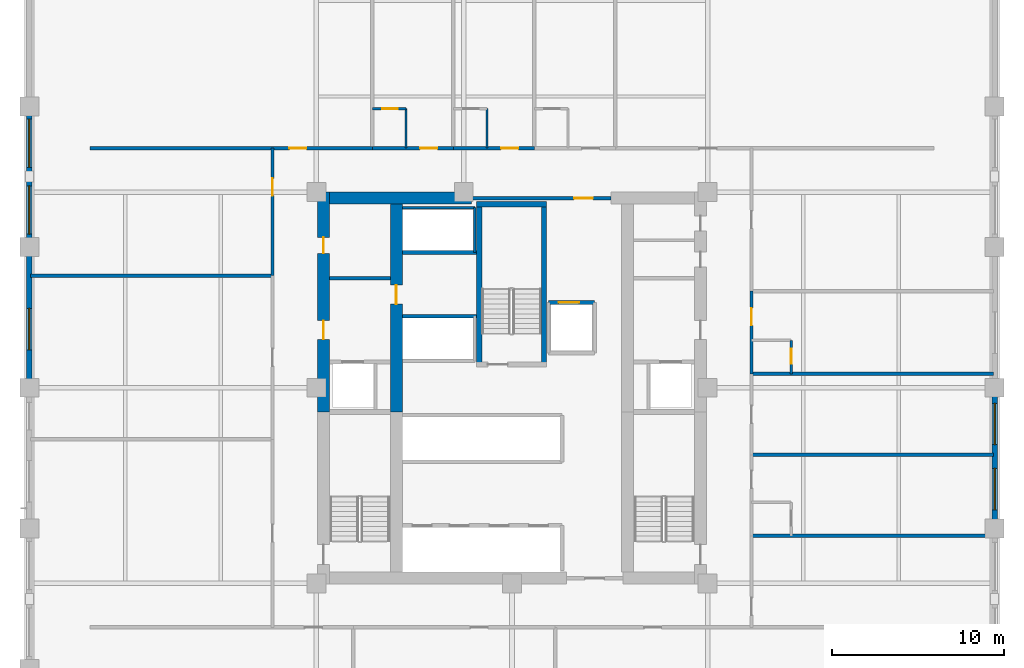
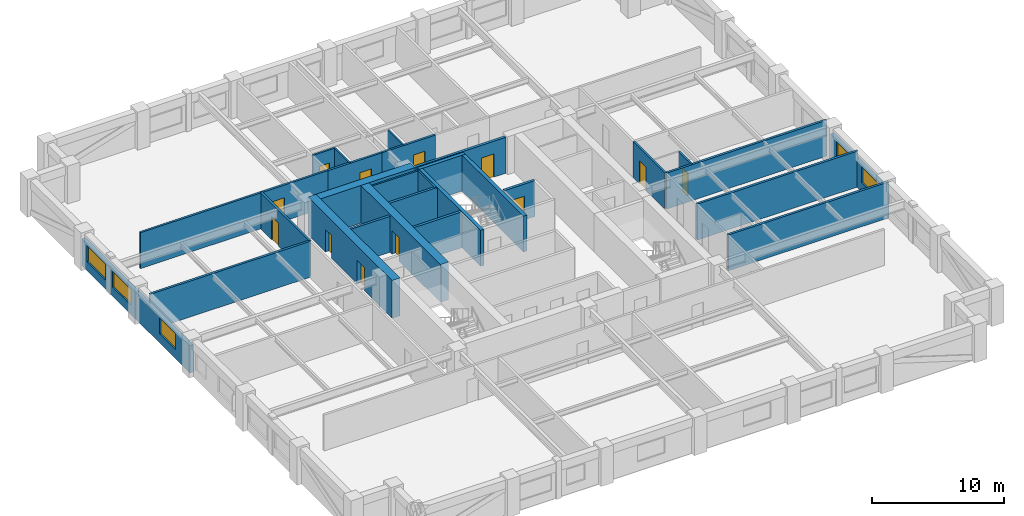
# One storey, part 5 of 8: 29 walls, 12 doors, 5 windows, 17 openings.
"""IFC4 building model written with IfcOpenShell, lengths in metres."""

from ifc_helpers import new_model, si_unit, direction, frame, frame_2d, origin, place, context, subcontext, project, spatial, rectangle, extrude, material, layer, layer_set, type_object, element, fill, save


model = new_model("IFC4")

# Units and contexts
model_context = context("Model", 3, precision=1e-05, world=origin(), true_north=direction((0.0, 1.0)))
body_context = subcontext(model_context, "Body", "Model", "MODEL_VIEW")
ifc_project = project(units=[si_unit("LENGTHUNIT", "METRE"), si_unit("AREAUNIT", "SQUARE_METRE"), si_unit("VOLUMEUNIT", "CUBIC_METRE"), si_unit("PLANEANGLEUNIT", "RADIAN"), si_unit("MASSUNIT", "GRAM", prefix="KILO")], contexts=[model_context])

# Site, building, storey
site_placement = place(None, origin())
site = spatial("IfcSite", under=ifc_project, at=site_placement, CompositionType="ELEMENT")
building_placement = place(site_placement, origin())
building = spatial("IfcBuilding", under=site, at=building_placement, Name="Nhamokura Convention Tower", CompositionType="ELEMENT")
storey_placement = place(building_placement, frame((0.0, 0.0, 56.35009765625)))
storey = spatial("IfcBuildingStorey", under=building, at=storey_placement, Name="L12", CompositionType="ELEMENT", Elevation=56.35009765625)

# Wall
ifc_material_1 = material(Name="Moisture-resistant tile-backer partition", Category="masonry")
ifc_layer_1 = layer(ifc_material_1, 0.139892578125)
ifc_layer_set_1 = layer_set([ifc_layer_1], Name="BathroomWetWall_140")
wall_type_1 = type_object("IfcWallType", Name="BathroomWetWall_140", PredefinedType="STANDARD", material=ifc_layer_set_1)
wall_1_placement = place(storey_placement, frame((25.85009765625, 45.89990234375, 0.0), z_axis=(0.0, 0.0, 1.0), x_axis=(0.0, 1.0, 0.0)))
element("IfcWall", 1, at=wall_1_placement, inside=storey, type_object=wall_type_1, Name="L12 Wall INT-L12-BW-N01E", PredefinedType="STANDARD", context=body_context, shape_type="SweptSolid", body=[
    extrude(rectangle(XDim=2.300048828125, YDim=0.139892578125, at=frame_2d((1.14990234375, 0.0))), origin(), (0.0, 0.0, 1.0), 3.31982421875),
])

# Wall, opening, door
wall_2_placement = place(storey_placement, frame((23.89990234375, 48.199951171875, 0.0), z_axis=(0.0, 0.0, 1.0), x_axis=(1.0, 0.0, 0.0)))
wall_2 = element("IfcWall", 2, at=wall_2_placement, inside=storey, type_object=wall_type_1, Name="L12 Wall INT-L12-BW-N01N", PredefinedType="STANDARD", context=body_context, shape_type="SweptSolid", body=[
    extrude(rectangle(XDim=1.9501953125, YDim=0.139892578125, at=frame_2d((0.97509765625, 0.0))), origin(), (0.0, 0.0, 1.0), 3.31982421875),
])
opening_1_placement = place(wall_2_placement, frame((0.580078125, 0.0, 0.0)))
opening_1 = element("IfcOpeningElement", 3, at=opening_1_placement, cuts=wall_2, Name="Opening D-11", PredefinedType="OPENING", context=body_context, shape_type="SweptSolid", body=[
    extrude(rectangle(XDim=0.8798828125, YDim=2.10009765625, at=frame_2d((0.43994140625, 1.050048828125))), frame((0.0, 0.079833984375, 0.0), z_axis=(0.0, -1.0, 0.0), x_axis=(1.0, 0.0, 0.0)), (0.0, 0.0, 1.0), 0.159912109375),
])
ifc_material_2 = material(Name="Solid oak hardwood", Category="wood")
door_type_1 = type_object("IfcDoorType", Name="BathroomDoor_880", OperationType="NOTDEFINED", PredefinedType="DOOR", material=ifc_material_2)
door_1_placement = place(opening_1_placement, origin())
door_1 = element("IfcDoor", 4, at=door_1_placement, inside=storey, type_object=door_type_1, Name="L12 Guest Room En-suite Door", OperationType="SINGLE_SWING_RIGHT", OverallHeight=2.10009765625, OverallWidth=0.8798828125, PredefinedType="DOOR", context=body_context, shape_type="SweptSolid", body=[
    extrude(rectangle(XDim=0.8798828125, YDim=2.10009765625, at=frame_2d((0.43994140625, 1.050048828125))), frame((0.0, 0.02490234375, 0.0), z_axis=(0.0, -1.0, 0.0), x_axis=(1.0, 0.0, 0.0)), (0.0, 0.0, 1.0), 0.050048828125),
])
fill(opening_1, door_1)

# Wall
wall_3_placement = place(storey_placement, frame((30.550048828125, 45.89990234375, 0.0), z_axis=(0.0, 0.0, 1.0), x_axis=(0.0, 1.0, 0.0)))
element("IfcWall", 5, at=wall_3_placement, inside=storey, type_object=wall_type_1, Name="L12 Wall INT-L12-BW-N02E", PredefinedType="STANDARD", context=body_context, shape_type="SweptSolid", body=[
    extrude(rectangle(XDim=2.300048828125, YDim=0.139892578125, at=frame_2d((1.14990234375, 0.0))), origin(), (0.0, 0.0, 1.0), 3.31982421875),
])

# Wall, opening, door
wall_4_placement = place(storey_placement, frame((48.199951171875, 32.800048828125, 0.0), z_axis=(0.0, 0.0, 1.0), x_axis=(0.0, 1.0, 0.0)))
wall_4 = element("IfcWall", 6, at=wall_4_placement, inside=storey, type_object=wall_type_1, Name="L12 Wall INT-L12-BW-E03E", PredefinedType="STANDARD", context=body_context, shape_type="SweptSolid", body=[
    extrude(rectangle(XDim=1.949951171875, YDim=0.139892578125, at=frame_2d((0.97509765625, 0.0))), origin(), (0.0, 0.0, 1.0), 3.31982421875),
])
opening_2_placement = place(wall_4_placement, frame((0.580078125, 0.0, 0.0)))
opening_2 = element("IfcOpeningElement", 7, at=opening_2_placement, cuts=wall_4, Name="Opening D-11", PredefinedType="OPENING", context=body_context, shape_type="SweptSolid", body=[
    extrude(rectangle(XDim=0.8798828125, YDim=2.10009765625, at=frame_2d((0.43994140625, 1.050048828125))), frame((0.0, 0.079833984375, 0.0), z_axis=(0.0, -1.0, 0.0), x_axis=(1.0, 0.0, 0.0)), (0.0, 0.0, 1.0), 0.159912109375),
])
door_2_placement = place(opening_2_placement, origin())
door_2 = element("IfcDoor", 8, at=door_2_placement, inside=storey, type_object=door_type_1, Name="L12 Guest Room En-suite Door", OperationType="SINGLE_SWING_LEFT", OverallHeight=2.10009765625, OverallWidth=0.8798828125, PredefinedType="DOOR", context=body_context, shape_type="SweptSolid", body=[
    extrude(rectangle(XDim=0.8798828125, YDim=2.10009765625, at=frame_2d((0.43994140625, 1.050048828125))), frame((0.0, 0.02490234375, 0.0), z_axis=(0.0, -1.0, 0.0), x_axis=(1.0, 0.0, 0.0)), (0.0, 0.0, 1.0), 0.050048828125),
])
fill(opening_2, door_2)

# Wall, opening, window
ifc_material_3 = material(Name="Bronze-pigmented precast concrete C45/55", Category="concrete")
ifc_layer_2 = layer(ifc_material_3, 0.320068359375)
ifc_layer_set_2 = layer_set([ifc_layer_2], Name="BronzePrecastSpandrel_320")
wall_type_2 = type_object("IfcWallType", Name="BronzePrecastSpandrel_320", PredefinedType="USERDEFINED", material=ifc_layer_set_2)
wall_5_placement = place(storey_placement, frame((4.0, 32.0, 0.0), z_axis=(0.0, 0.0, 1.0), x_axis=(0.0, 1.0, 0.0)))
wall_5 = element("IfcWall", 9, at=wall_5_placement, inside=storey, type_object=wall_type_2, Name="L12 Masonry-Frame Wall WEST 3", ObjectType="SPANDREL_WALL", PredefinedType="USERDEFINED", context=body_context, shape_type="SweptSolid", body=[
    extrude(rectangle(XDim=8.166748046875, YDim=0.320068359375, at=frame_2d((4.08349609375, 0.0))), origin(), (0.0, 0.0, 1.0), 2.52001953125),
])
opening_3_placement = place(wall_5_placement, frame((2.199951171875, 0.0, 0.85009765625)))
opening_3 = element("IfcOpeningElement", 10, at=opening_3_placement, cuts=wall_5, Name="Opening W-03", PredefinedType="OPENING", context=body_context, shape_type="SweptSolid", body=[
    extrude(rectangle(XDim=2.39990234375, YDim=1.469970703125, at=frame_2d((1.199951171875, 0.73486328125))), frame((0.0, 0.169921875, 0.0), z_axis=(0.0, -1.0, 0.0), x_axis=(1.0, 0.0, 0.0)), (0.0, 0.0, 1.0), 0.340087890625),
])
ifc_material_4 = material(Name="Solar-control bronze low-E double glass", Category="glass")
window_type_1 = type_object("IfcWindowType", Name="HotelBayWindow_2400", PartitioningType="DOUBLE_PANEL_VERTICAL", PredefinedType="WINDOW", material=ifc_material_4)
window_1_placement = place(opening_3_placement, origin())
window_1 = element("IfcWindow", 11, at=window_1_placement, inside=storey, type_object=window_type_1, Name="L12 Facade Window WEST 3-1", OverallHeight=1.469970703125, OverallWidth=2.39990234375, PartitioningType="SINGLE_PANEL", PredefinedType="WINDOW", context=body_context, shape_type="SweptSolid", body=[
    extrude(rectangle(XDim=2.39990234375, YDim=1.469970703125, at=frame_2d((1.199951171875, 0.73486328125))), frame((0.0, 0.030029296875, 0.0), z_axis=(0.0, -1.0, 0.0), x_axis=(1.0, 0.0, 0.0)), (0.0, 0.0, 1.0), 0.06005859375),
])
fill(opening_3, window_1)

# Wall, openings, windows
wall_6_placement = place(storey_placement, frame((4.0, 40.166748046875, 0.0), z_axis=(0.0, 0.0, 1.0), x_axis=(0.0, 1.0, 0.0)))
wall_6 = element("IfcWall", 12, at=wall_6_placement, inside=storey, type_object=wall_type_2, Name="L12 Masonry-Frame Wall WEST 4", ObjectType="SPANDREL_WALL", PredefinedType="USERDEFINED", context=body_context, shape_type="SweptSolid", body=[
    extrude(rectangle(XDim=8.16650390625, YDim=0.320068359375, at=frame_2d((4.083251953125, 0.0))), origin(), (0.0, 0.0, 1.0), 2.52001953125),
])
opening_4_placement = place(wall_6_placement, frame((0.74169921875, 0.0, 0.85009765625)))
opening_4 = element("IfcOpeningElement", 13, at=opening_4_placement, cuts=wall_6, Name="Opening W-04", PredefinedType="OPENING", context=body_context, shape_type="SweptSolid", body=[
    extrude(rectangle(XDim=2.800048828125, YDim=1.469970703125, at=frame_2d((1.39990234375, 0.73486328125))), frame((0.0, 0.169921875, 0.0), z_axis=(0.0, -1.0, 0.0), x_axis=(1.0, 0.0, 0.0)), (0.0, 0.0, 1.0), 0.340087890625),
])
opening_5_placement = place(wall_6_placement, frame((4.625, 0.0, 0.85009765625)))
opening_5 = element("IfcOpeningElement", 14, at=opening_5_placement, cuts=wall_6, Name="Opening W-04", PredefinedType="OPENING", context=body_context, shape_type="SweptSolid", body=[
    extrude(rectangle(XDim=2.800048828125, YDim=1.469970703125, at=frame_2d((1.39990234375, 0.73486328125))), frame((0.0, 0.169921875, 0.0), z_axis=(0.0, -1.0, 0.0), x_axis=(1.0, 0.0, 0.0)), (0.0, 0.0, 1.0), 0.340087890625),
])
ifc_material_5 = material(Name="Solar-control bronze low-E double glass", Category="glass")
window_type_2 = type_object("IfcWindowType", Name="HotelSuiteWindow_2800", PartitioningType="DOUBLE_PANEL_VERTICAL", PredefinedType="WINDOW", material=ifc_material_5)
window_2_placement = place(opening_4_placement, origin())
window_2 = element("IfcWindow", 15, at=window_2_placement, inside=storey, type_object=window_type_2, Name="L12 Facade Window WEST 4-1", OverallHeight=1.469970703125, OverallWidth=2.800048828125, PartitioningType="SINGLE_PANEL", PredefinedType="WINDOW", context=body_context, shape_type="SweptSolid", body=[
    extrude(rectangle(XDim=2.800048828125, YDim=1.469970703125, at=frame_2d((1.39990234375, 0.73486328125))), frame((0.0, 0.030029296875, 0.0), z_axis=(0.0, -1.0, 0.0), x_axis=(1.0, 0.0, 0.0)), (0.0, 0.0, 1.0), 0.06005859375),
])
fill(opening_4, window_2)
window_3_placement = place(opening_5_placement, origin())
window_3 = element("IfcWindow", 16, at=window_3_placement, inside=storey, type_object=window_type_2, Name="L12 Facade Window WEST 4-2", OverallHeight=1.469970703125, OverallWidth=2.800048828125, PartitioningType="SINGLE_PANEL", PredefinedType="WINDOW", context=body_context, shape_type="SweptSolid", body=[
    extrude(rectangle(XDim=2.800048828125, YDim=1.469970703125, at=frame_2d((1.39990234375, 0.73486328125))), frame((0.0, 0.030029296875, 0.0), z_axis=(0.0, -1.0, 0.0), x_axis=(1.0, 0.0, 0.0)), (0.0, 0.0, 1.0), 0.06005859375),
])
fill(opening_5, window_3)

wall_7_placement = place(storey_placement, frame((60.0, 32.0, 0.0), z_axis=(0.0, 0.0, 1.0), x_axis=(0.0, -1.0, 0.0)))
wall_7 = element("IfcWall", 17, at=wall_7_placement, inside=storey, type_object=wall_type_2, Name="L12 Masonry-Frame Wall EAST 2", ObjectType="SPANDREL_WALL", PredefinedType="USERDEFINED", context=body_context, shape_type="SweptSolid", body=[
    extrude(rectangle(XDim=8.166748046875, YDim=0.320068359375, at=frame_2d((4.08349609375, 0.0))), origin(), (0.0, 0.0, 1.0), 2.52001953125),
])
opening_6_placement = place(wall_7_placement, frame((0.89990234375, 0.0, 0.85009765625)))
opening_6 = element("IfcOpeningElement", 18, at=opening_6_placement, cuts=wall_7, Name="Opening W-03", PredefinedType="OPENING", context=body_context, shape_type="SweptSolid", body=[
    extrude(rectangle(XDim=2.39990234375, YDim=1.469970703125, at=frame_2d((1.199951171875, 0.73486328125))), frame((0.0, 0.169921875, 0.0), z_axis=(0.0, -1.0, 0.0), x_axis=(1.0, 0.0, 0.0)), (0.0, 0.0, 1.0), 0.340087890625),
])
opening_7_placement = place(wall_7_placement, frame((4.683349609375, 0.0, 0.85009765625)))
opening_7 = element("IfcOpeningElement", 19, at=opening_7_placement, cuts=wall_7, Name="Opening W-03", PredefinedType="OPENING", context=body_context, shape_type="SweptSolid", body=[
    extrude(rectangle(XDim=2.39990234375, YDim=1.469970703125, at=frame_2d((1.199951171875, 0.73486328125))), frame((0.0, 0.169921875, 0.0), z_axis=(0.0, -1.0, 0.0), x_axis=(1.0, 0.0, 0.0)), (0.0, 0.0, 1.0), 0.340087890625),
])
window_4_placement = place(opening_6_placement, origin())
window_4 = element("IfcWindow", 20, at=window_4_placement, inside=storey, type_object=window_type_1, Name="L12 Facade Window EAST 2-1", OverallHeight=1.469970703125, OverallWidth=2.39990234375, PartitioningType="SINGLE_PANEL", PredefinedType="WINDOW", context=body_context, shape_type="SweptSolid", body=[
    extrude(rectangle(XDim=2.39990234375, YDim=1.469970703125, at=frame_2d((1.199951171875, 0.73486328125))), frame((0.0, 0.030029296875, 0.0), z_axis=(0.0, -1.0, 0.0), x_axis=(1.0, 0.0, 0.0)), (0.0, 0.0, 1.0), 0.06005859375),
])
fill(opening_6, window_4)
window_5_placement = place(opening_7_placement, origin())
window_5 = element("IfcWindow", 21, at=window_5_placement, inside=storey, type_object=window_type_1, Name="L12 Facade Window EAST 2-2", OverallHeight=1.469970703125, OverallWidth=2.39990234375, PartitioningType="SINGLE_PANEL", PredefinedType="WINDOW", context=body_context, shape_type="SweptSolid", body=[
    extrude(rectangle(XDim=2.39990234375, YDim=1.469970703125, at=frame_2d((1.199951171875, 0.73486328125))), frame((0.0, 0.030029296875, 0.0), z_axis=(0.0, -1.0, 0.0), x_axis=(1.0, 0.0, 0.0)), (0.0, 0.0, 1.0), 0.06005859375),
])
fill(opening_7, window_5)

# Wall, openings, doors
ifc_material_6 = material(Name="Concrete C70/85", Category="concrete")
ifc_layer_3 = layer(ifc_material_6, 0.699951171875)
ifc_layer_set_3 = layer_set([ifc_layer_3], Name="CoreShearWall_700")
wall_type_3 = type_object("IfcWallType", Name="CoreShearWall_700", PredefinedType="SHEAR", material=ifc_layer_set_3)
wall_8_placement = place(storey_placement, frame((21.06005859375, 30.60009765625, 0.0), z_axis=(0.0, 0.0, 1.0), x_axis=(0.0, 1.0, 0.0)))
wall_8 = element("IfcWall", 22, at=wall_8_placement, inside=storey, type_object=wall_type_3, Name="L12 Core Shear Wall CW-WN", PredefinedType="SHEAR", context=body_context, shape_type="SweptSolid", body=[
    extrude(rectangle(XDim=12.75, YDim=0.699951171875, at=frame_2d((6.375, 0.0))), origin(), (0.0, 0.0, 1.0), 3.5),
])
opening_8_placement = place(wall_8_placement, frame((4.199951171875, 0.0, 0.0)))
opening_8 = element("IfcOpeningElement", 23, at=opening_8_placement, cuts=wall_8, Name="Opening D-05", PredefinedType="OPENING", context=body_context, shape_type="SweptSolid", body=[
    extrude(rectangle(XDim=1.10009765625, YDim=2.14990234375, at=frame_2d((0.550048828125, 1.074951171875))), frame((0.0, 0.35986328125, 0.0), z_axis=(0.0, -1.0, 0.0), x_axis=(1.0, 0.0, 0.0)), (0.0, 0.0, 1.0), 0.719970703125),
])
opening_9_placement = place(wall_8_placement, frame((9.199951171875, 0.0, 0.0)))
opening_9 = element("IfcOpeningElement", 24, at=opening_9_placement, cuts=wall_8, Name="Opening D-10", PredefinedType="OPENING", context=body_context, shape_type="SweptSolid", body=[
    extrude(rectangle(XDim=0.919921875, YDim=2.10009765625, at=frame_2d((0.4599609375, 1.050048828125))), frame((0.0, 0.35986328125, 0.0), z_axis=(0.0, -1.0, 0.0), x_axis=(1.0, 0.0, 0.0)), (0.0, 0.0, 1.0), 0.719970703125),
])
ifc_material_7 = material(Name="Solid oak hardwood", Category="wood")
door_type_2 = type_object("IfcDoorType", Name="AccessibleWCDoor_920", OperationType="NOTDEFINED", PredefinedType="DOOR", material=ifc_material_7)
door_3_placement = place(opening_9_placement, origin())
door_3 = element("IfcDoor", 25, at=door_3_placement, inside=storey, type_object=door_type_2, Name="L12 Core Door INT-L12-D-AWC", OperationType="SINGLE_SWING_LEFT", OverallHeight=2.10009765625, OverallWidth=0.919921875, PredefinedType="DOOR", context=body_context, shape_type="SweptSolid", body=[
    extrude(rectangle(XDim=0.919921875, YDim=2.10009765625, at=frame_2d((0.4599609375, 1.050048828125))), frame((0.0, 0.02490234375, 0.0), z_axis=(0.0, -1.0, 0.0), x_axis=(1.0, 0.0, 0.0)), (0.0, 0.0, 1.0), 0.050048828125),
])
fill(opening_9, door_3)
ifc_material_8 = material(Name="Fire-rated steel door", Category="steel")
door_type_3 = type_object("IfcDoorType", Name="FireLobbyDoor_1100", OperationType="NOTDEFINED", PredefinedType="DOOR", material=ifc_material_8)
door_4_placement = place(opening_8_placement, origin())
door_4 = element("IfcDoor", 26, at=door_4_placement, inside=storey, type_object=door_type_3, Name="L12 Core Door INT-L12-D-FFLW", OperationType="SINGLE_SWING_RIGHT", OverallHeight=2.14990234375, OverallWidth=1.10009765625, PredefinedType="DOOR", context=body_context, shape_type="SweptSolid", body=[
    extrude(rectangle(XDim=1.10009765625, YDim=2.14990234375, at=frame_2d((0.550048828125, 1.074951171875))), frame((0.0, 0.02490234375, 0.0), z_axis=(0.0, -1.0, 0.0), x_axis=(1.0, 0.0, 0.0)), (0.0, 0.0, 1.0), 0.050048828125),
])
fill(opening_8, door_4)

# Wall
wall_9_placement = place(storey_placement, frame((21.409912109375, 43.0, 0.0), z_axis=(0.0, 0.0, 1.0), x_axis=(1.0, 0.0, 0.0)))
element("IfcWall", 27, at=wall_9_placement, inside=storey, type_object=wall_type_3, Name="L12 Core Shear Wall CW-N1", PredefinedType="SHEAR", context=body_context, shape_type="SweptSolid", body=[
    extrude(rectangle(XDim=8.239990234375, YDim=0.699951171875, at=frame_2d((4.1201171875, 0.0))), origin(), (0.0, 0.0, 1.0), 3.5),
])

# Wall, opening, door
wall_10_placement = place(storey_placement, frame((25.2900390625, 30.60009765625, 0.0), z_axis=(0.0, 0.0, 1.0), x_axis=(0.0, 1.0, 0.0)))
wall_10 = element("IfcWall", 28, at=wall_10_placement, inside=storey, type_object=wall_type_3, Name="L12 Core Shear Wall CW-IWN", PredefinedType="SHEAR", context=body_context, shape_type="SweptSolid", body=[
    extrude(rectangle(XDim=12.0498046875, YDim=0.699951171875, at=frame_2d((6.02490234375, 0.0))), origin(), (0.0, 0.0, 1.0), 3.5),
])
opening_10_placement = place(wall_10_placement, frame((6.25, 0.0, 0.0)))
opening_10 = element("IfcOpeningElement", 29, at=opening_10_placement, cuts=wall_10, Name="Opening D-05", PredefinedType="OPENING", context=body_context, shape_type="SweptSolid", body=[
    extrude(rectangle(XDim=1.10009765625, YDim=2.14990234375, at=frame_2d((0.550048828125, 1.074951171875))), frame((0.0, 0.35986328125, 0.0), z_axis=(0.0, -1.0, 0.0), x_axis=(1.0, 0.0, 0.0)), (0.0, 0.0, 1.0), 0.719970703125),
])
door_5_placement = place(opening_10_placement, origin())
door_5 = element("IfcDoor", 30, at=door_5_placement, inside=storey, type_object=door_type_3, Name="L12 Core Door INT-L12-D-B3LOB", OperationType="SINGLE_SWING_LEFT", OverallHeight=2.14990234375, OverallWidth=1.10009765625, PredefinedType="DOOR", context=body_context, shape_type="SweptSolid", body=[
    extrude(rectangle(XDim=1.10009765625, YDim=2.14990234375, at=frame_2d((0.550048828125, 1.074951171875))), frame((0.0, 0.02490234375, 0.0), z_axis=(0.0, -1.0, 0.0), x_axis=(1.0, 0.0, 0.0)), (0.0, 0.0, 1.0), 0.050048828125),
])
fill(opening_10, door_5)

ifc_material_9 = material(Name="Fire-rated gypsum and masonry partition", Category="masonry")
ifc_layer_4 = layer(ifc_material_9, 0.179931640625)
ifc_layer_set_4 = layer_set([ifc_layer_4], Name="CorridorRatedWall_180")
wall_type_4 = type_object("IfcWallType", Name="CorridorRatedWall_180", PredefinedType="STANDARD", material=ifc_layer_set_4)
wall_11_placement = place(storey_placement, frame((7.5, 45.89990234375, 0.0), z_axis=(0.0, 0.0, 1.0), x_axis=(1.0, 0.0, 0.0)))
wall_11 = element("IfcWall", 31, at=wall_11_placement, inside=storey, type_object=wall_type_4, Name="L12 Wall INT-L12-CW-N00", PredefinedType="STANDARD", context=body_context, shape_type="SweptSolid", body=[
    extrude(rectangle(XDim=16.39990234375, YDim=0.179931640625, at=frame_2d((8.199951171875, 0.0))), origin(), (0.0, 0.0, 1.0), 3.31982421875),
])
opening_11_placement = place(wall_11_placement, frame((11.574951171875, 0.0, 0.0)))
opening_11 = element("IfcOpeningElement", 32, at=opening_11_placement, cuts=wall_11, Name="Opening D-07", PredefinedType="OPENING", context=body_context, shape_type="SweptSolid", body=[
    extrude(rectangle(XDim=1.0, YDim=2.14990234375, at=frame_2d((0.5, 1.074951171875))), frame((0.0, 0.099853515625, 0.0), z_axis=(0.0, -1.0, 0.0), x_axis=(1.0, 0.0, 0.0)), (0.0, 0.0, 1.0), 0.199951171875),
])
ifc_material_10 = material(Name="Solid oak hardwood", Category="wood")
door_type_4 = type_object("IfcDoorType", Name="HotelSuiteEntryDoor_1000", OperationType="NOTDEFINED", PredefinedType="DOOR", material=ifc_material_10)
door_6_placement = place(opening_11_placement, origin())
door_6 = element("IfcDoor", 33, at=door_6_placement, inside=storey, type_object=door_type_4, Name="L12 Conference Salon N01 Door", OperationType="SINGLE_SWING_LEFT", OverallHeight=2.14990234375, OverallWidth=1.0, PredefinedType="DOOR", context=body_context, shape_type="SweptSolid", body=[
    extrude(rectangle(XDim=1.0, YDim=2.14990234375, at=frame_2d((0.5, 1.074951171875))), frame((0.0, 0.02490234375, 0.0), z_axis=(0.0, -1.0, 0.0), x_axis=(1.0, 0.0, 0.0)), (0.0, 0.0, 1.0), 0.050048828125),
])
fill(opening_11, door_6)

wall_12_placement = place(storey_placement, frame((23.89990234375, 45.89990234375, 0.0), z_axis=(0.0, 0.0, 1.0), x_axis=(1.0, 0.0, 0.0)))
wall_12 = element("IfcWall", 34, at=wall_12_placement, inside=storey, type_object=wall_type_4, Name="L12 Wall INT-L12-CW-N01", PredefinedType="STANDARD", context=body_context, shape_type="SweptSolid", body=[
    extrude(rectangle(XDim=4.7001953125, YDim=0.179931640625, at=frame_2d((2.35009765625, 0.0))), origin(), (0.0, 0.0, 1.0), 3.31982421875),
])
opening_12_placement = place(wall_12_placement, frame((2.77490234375, 0.0, 0.0)))
opening_12 = element("IfcOpeningElement", 35, at=opening_12_placement, cuts=wall_12, Name="Opening D-07", PredefinedType="OPENING", context=body_context, shape_type="SweptSolid", body=[
    extrude(rectangle(XDim=1.0, YDim=2.14990234375, at=frame_2d((0.5, 1.074951171875))), frame((0.0, 0.099853515625, 0.0), z_axis=(0.0, -1.0, 0.0), x_axis=(1.0, 0.0, 0.0)), (0.0, 0.0, 1.0), 0.199951171875),
])
door_7_placement = place(opening_12_placement, origin())
door_7 = element("IfcDoor", 36, at=door_7_placement, inside=storey, type_object=door_type_4, Name="L12 Guest Room N02 Door", OperationType="SINGLE_SWING_RIGHT", OverallHeight=2.14990234375, OverallWidth=1.0, PredefinedType="DOOR", context=body_context, shape_type="SweptSolid", body=[
    extrude(rectangle(XDim=1.0, YDim=2.14990234375, at=frame_2d((0.5, 1.074951171875))), frame((0.0, 0.02490234375, 0.0), z_axis=(0.0, -1.0, 0.0), x_axis=(1.0, 0.0, 0.0)), (0.0, 0.0, 1.0), 0.050048828125),
])
fill(opening_12, door_7)

wall_13_placement = place(storey_placement, frame((28.60009765625, 45.89990234375, 0.0), z_axis=(0.0, 0.0, 1.0), x_axis=(1.0, 0.0, 0.0)))
wall_13 = element("IfcWall", 37, at=wall_13_placement, inside=storey, type_object=wall_type_4, Name="L12 Wall INT-L12-CW-N02", PredefinedType="STANDARD", context=body_context, shape_type="SweptSolid", body=[
    extrude(rectangle(XDim=4.699951171875, YDim=0.179931640625, at=frame_2d((2.35009765625, 0.0))), origin(), (0.0, 0.0, 1.0), 3.31982421875),
])
opening_13_placement = place(wall_13_placement, frame((2.77490234375, 0.0, 0.0)))
opening_13 = element("IfcOpeningElement", 38, at=opening_13_placement, cuts=wall_13, Name="Opening D-07", PredefinedType="OPENING", context=body_context, shape_type="SweptSolid", body=[
    extrude(rectangle(XDim=1.0, YDim=2.14990234375, at=frame_2d((0.5, 1.074951171875))), frame((0.0, 0.099853515625, 0.0), z_axis=(0.0, -1.0, 0.0), x_axis=(1.0, 0.0, 0.0)), (0.0, 0.0, 1.0), 0.199951171875),
])
door_8_placement = place(opening_13_placement, origin())
door_8 = element("IfcDoor", 39, at=door_8_placement, inside=storey, type_object=door_type_4, Name="L12 Guest Room N03 Door", OperationType="SINGLE_SWING_LEFT", OverallHeight=2.14990234375, OverallWidth=1.0, PredefinedType="DOOR", context=body_context, shape_type="SweptSolid", body=[
    extrude(rectangle(XDim=1.0, YDim=2.14990234375, at=frame_2d((0.5, 1.074951171875))), frame((0.0, 0.02490234375, 0.0), z_axis=(0.0, -1.0, 0.0), x_axis=(1.0, 0.0, 0.0)), (0.0, 0.0, 1.0), 0.050048828125),
])
fill(opening_13, door_8)

wall_14_placement = place(storey_placement, frame((18.10009765625, 38.5, 0.0), z_axis=(0.0, 0.0, 1.0), x_axis=(0.0, 1.0, 0.0)))
wall_14 = element("IfcWall", 40, at=wall_14_placement, inside=storey, type_object=wall_type_4, Name="L12 Wall INT-L12-CW-W02", PredefinedType="STANDARD", context=body_context, shape_type="SweptSolid", body=[
    extrude(rectangle(XDim=7.39990234375, YDim=0.179931640625, at=frame_2d((3.699951171875, 0.0))), origin(), (0.0, 0.0, 1.0), 3.31982421875),
])
opening_14_placement = place(wall_14_placement, frame((4.64990234375, 0.0, 0.0)))
opening_14 = element("IfcOpeningElement", 41, at=opening_14_placement, cuts=wall_14, Name="Opening D-07", PredefinedType="OPENING", context=body_context, shape_type="SweptSolid", body=[
    extrude(rectangle(XDim=1.0, YDim=2.14990234375, at=frame_2d((0.5, 1.074951171875))), frame((0.0, 0.099853515625, 0.0), z_axis=(0.0, -1.0, 0.0), x_axis=(1.0, 0.0, 0.0)), (0.0, 0.0, 1.0), 0.199951171875),
])
door_9_placement = place(opening_14_placement, origin())
door_9 = element("IfcDoor", 42, at=door_9_placement, inside=storey, type_object=door_type_4, Name="L12 Reading Lounge W03 Door", OperationType="SINGLE_SWING_LEFT", OverallHeight=2.14990234375, OverallWidth=1.0, PredefinedType="DOOR", context=body_context, shape_type="SweptSolid", body=[
    extrude(rectangle(XDim=1.0, YDim=2.14990234375, at=frame_2d((0.5, 1.074951171875))), frame((0.0, 0.02490234375, 0.0), z_axis=(0.0, -1.0, 0.0), x_axis=(1.0, 0.0, 0.0)), (0.0, 0.0, 1.0), 0.050048828125),
])
fill(opening_14, door_9)

wall_15_placement = place(storey_placement, frame((45.89990234375, 32.800048828125, 0.0), z_axis=(0.0, 0.0, 1.0), x_axis=(0.0, 1.0, 0.0)))
wall_15 = element("IfcWall", 43, at=wall_15_placement, inside=storey, type_object=wall_type_4, Name="L12 Wall INT-L12-CW-E03", PredefinedType="STANDARD", context=body_context, shape_type="SweptSolid", body=[
    extrude(rectangle(XDim=4.800048828125, YDim=0.179931640625, at=frame_2d((2.39990234375, 0.0))), origin(), (0.0, 0.0, 1.0), 3.31982421875),
])
opening_15_placement = place(wall_15_placement, frame((2.824951171875, 0.0, 0.0)))
opening_15 = element("IfcOpeningElement", 44, at=opening_15_placement, cuts=wall_15, Name="Opening D-07", PredefinedType="OPENING", context=body_context, shape_type="SweptSolid", body=[
    extrude(rectangle(XDim=1.0, YDim=2.14990234375, at=frame_2d((0.5, 1.074951171875))), frame((0.0, 0.099853515625, 0.0), z_axis=(0.0, -1.0, 0.0), x_axis=(1.0, 0.0, 0.0)), (0.0, 0.0, 1.0), 0.199951171875),
])
door_10_placement = place(opening_15_placement, origin())
door_10 = element("IfcDoor", 45, at=door_10_placement, inside=storey, type_object=door_type_4, Name="L12 Guest Room E04 Door", OperationType="SINGLE_SWING_RIGHT", OverallHeight=2.14990234375, OverallWidth=1.0, PredefinedType="DOOR", context=body_context, shape_type="SweptSolid", body=[
    extrude(rectangle(XDim=1.0, YDim=2.14990234375, at=frame_2d((0.5, 1.074951171875))), frame((0.0, 0.02490234375, 0.0), z_axis=(0.0, -1.0, 0.0), x_axis=(1.0, 0.0, 0.0)), (0.0, 0.0, 1.0), 0.050048828125),
])
fill(opening_15, door_10)

# Walls
ifc_material_11 = material(Name="Autoclaved concrete blockwork", Category="masonry")
ifc_layer_5 = layer(ifc_material_11, 0.219970703125)
ifc_layer_set_5 = layer_set([ifc_layer_5], Name="FireLobbyWall_220")
wall_type_5 = type_object("IfcWallType", Name="FireLobbyWall_220", PredefinedType="STANDARD", material=ifc_layer_set_5)
wall_16_placement = place(storey_placement, frame((21.409912109375, 38.35009765625, 0.0), z_axis=(0.0, 0.0, 1.0), x_axis=(1.0, 0.0, 0.0)))
element("IfcWall", 46, at=wall_16_placement, inside=storey, type_object=wall_type_5, Name="L12 Wall INT-L12-FFW-N", PredefinedType="STANDARD", context=body_context, shape_type="SweptSolid", body=[
    extrude(rectangle(XDim=3.530029296875, YDim=0.219970703125, at=frame_2d((1.76513671875, 0.0))), origin(), (0.0, 0.0, 1.0), 3.31982421875),
])
for number, where, z_axis, x_axis, name in (
    (47, (25.64990234375, 36.14990234375, 0.0), (0.0, 0.0, 1.0), (1.0, 0.0, 0.0), "L12 Wall INT-L12-B3S"),
    (48, (25.64990234375, 39.85009765625, 0.0), (0.0, 0.0, 1.0), (1.0, 0.0, 0.0), "L12 Wall INT-L12-B3N"),
):
    element("IfcWall", number, at=place(storey_placement, frame(where, z_axis=z_axis, x_axis=x_axis)), inside=storey, type_object=wall_type_5, Name=name, PredefinedType="STANDARD", context=body_context, shape_type="SweptSolid", body=[
        extrude(rectangle(XDim=4.300048828125, YDim=0.219970703125, at=frame_2d((2.14990234375, 0.0))), origin(), (0.0, 0.0, 1.0), 3.31982421875),
    ])

# Wall, opening, door
wall_17_placement = place(storey_placement, frame((29.64990234375, 43.0, 0.0), z_axis=(0.0, 0.0, 1.0), x_axis=(1.0, 0.0, 0.0)))
wall_17 = element("IfcWall", 49, at=wall_17_placement, inside=storey, type_object=wall_type_5, Name="L12 Wall INT-L12-CPORT-N", PredefinedType="STANDARD", context=body_context, shape_type="SweptSolid", body=[
    extrude(rectangle(XDim=8.10009765625, YDim=0.219970703125, at=frame_2d((4.050048828125, 0.0))), origin(), (0.0, 0.0, 1.0), 3.31982421875),
])
opening_16_placement = place(wall_17_placement, frame((5.949951171875, 0.0, 0.0)))
opening_16 = element("IfcOpeningElement", 50, at=opening_16_placement, cuts=wall_17, Name="Opening D-05", PredefinedType="OPENING", context=body_context, shape_type="SweptSolid", body=[
    extrude(rectangle(XDim=1.10009765625, YDim=2.14990234375, at=frame_2d((0.550048828125, 1.074951171875))), frame((0.0, 0.119873046875, 0.0), z_axis=(0.0, -1.0, 0.0), x_axis=(1.0, 0.0, 0.0)), (0.0, 0.0, 1.0), 0.239990234375),
])
door_11_placement = place(opening_16_placement, origin())
door_11 = element("IfcDoor", 51, at=door_11_placement, inside=storey, type_object=door_type_3, Name="L12 North Core Lobby Portal Door", OperationType="SINGLE_SWING_RIGHT", OverallHeight=2.14990234375, OverallWidth=1.10009765625, PredefinedType="DOOR", context=body_context, shape_type="SweptSolid", body=[
    extrude(rectangle(XDim=1.10009765625, YDim=2.14990234375, at=frame_2d((0.550048828125, 1.074951171875))), frame((0.0, 0.02490234375, 0.0), z_axis=(0.0, -1.0, 0.0), x_axis=(1.0, 0.0, 0.0)), (0.0, 0.0, 1.0), 0.050048828125),
])
fill(opening_16, door_11)

wall_18_placement = place(storey_placement, frame((34.1201171875, 36.949951171875, 0.0), z_axis=(0.0, 0.0, 1.0), x_axis=(1.0, 0.0, 0.0)))
wall_18 = element("IfcWall", 52, at=wall_18_placement, inside=storey, type_object=wall_type_5, Name="L12 Wall INT-L12-LSN", PredefinedType="STANDARD", context=body_context, shape_type="SweptSolid", body=[
    extrude(rectangle(XDim=2.679931640625, YDim=0.219970703125, at=frame_2d((1.33984375, 0.0))), origin(), (0.0, 0.0, 1.0), 3.31982421875),
])
opening_17_placement = place(wall_18_placement, frame((0.580078125, 0.0, 0.0)))
opening_17 = element("IfcOpeningElement", 53, at=opening_17_placement, cuts=wall_18, Name="Opening LD-02", PredefinedType="OPENING", context=body_context, shape_type="SweptSolid", body=[
    extrude(rectangle(XDim=1.199951171875, YDim=2.199951171875, at=frame_2d((0.60009765625, 1.10009765625))), frame((0.0, 0.119873046875, 0.0), z_axis=(0.0, -1.0, 0.0), x_axis=(1.0, 0.0, 0.0)), (0.0, 0.0, 1.0), 0.239990234375),
])
ifc_material_12 = material(Name="Anodised bronze stainless steel", Category="steel")
door_type_5 = type_object("IfcDoorType", Name="LiftLandingDoor_FireService", OperationType="DOUBLE_DOOR_SLIDING", PredefinedType="DOOR", material=ifc_material_12)
door_12_placement = place(opening_17_placement, origin())
door_12 = element("IfcDoor", 54, at=door_12_placement, inside=storey, type_object=door_type_5, Name="L12 Service Lift LS-01 Door", OperationType="DOUBLE_DOOR_SLIDING", OverallHeight=2.199951171875, OverallWidth=1.199951171875, PredefinedType="DOOR", context=body_context, shape_type="SweptSolid", body=[
    extrude(rectangle(XDim=1.199951171875, YDim=2.199951171875, at=frame_2d((0.60009765625, 1.10009765625))), frame((0.0, 0.02490234375, 0.0), z_axis=(0.0, -1.0, 0.0), x_axis=(1.0, 0.0, 0.0)), (0.0, 0.0, 1.0), 0.050048828125),
])
fill(opening_17, door_12)

# Walls
ifc_material_13 = material(Name="Acoustic twin-stud gypsum partition", Category="masonry")
ifc_layer_6 = layer(ifc_material_13, 0.199951171875)
ifc_layer_set_6 = layer_set([ifc_layer_6], Name="HotelDemisingWall_200")
wall_type_6 = type_object("IfcWallType", Name="HotelDemisingWall_200", PredefinedType="STANDARD", material=ifc_layer_set_6)
for number, where, z_axis, x_axis, name in (
    (55, (4.06005859375, 38.5, 0.0), (0.0, 0.0, 1.0), (1.0, 0.0, 0.0), "L12 Wall INT-L12-RW-W02"),
    (56, (45.89990234375, 23.39990234375, 0.0), (0.0, 0.0, 1.0), (1.0, 0.0, 0.0), "L12 Wall INT-L12-RW-E01"),
    (57, (45.89990234375, 28.10009765625, 0.0), (0.0, 0.0, 1.0), (1.0, 0.0, 0.0), "L12 Wall INT-L12-RW-E02"),
    (58, (45.89990234375, 32.800048828125, 0.0), (0.0, 0.0, 1.0), (1.0, 0.0, 0.0), "L12 Wall INT-L12-RW-E03"),
):
    element("IfcWall", number, at=place(storey_placement, frame(where, z_axis=z_axis, x_axis=x_axis)), inside=storey, type_object=wall_type_6, Name=name, PredefinedType="STANDARD", context=body_context, shape_type="SweptSolid", body=[
        extrude(rectangle(XDim=14.0400390625, YDim=0.199951171875, at=frame_2d((7.02001953125, 0.0))), origin(), (0.0, 0.0, 1.0), 3.31982421875),
    ])
ifc_material_14 = material(Name="Acoustic gypsum stud partition", Category="masonry")
ifc_layer_7 = layer(ifc_material_14, 0.14990234375)
ifc_layer_set_7 = layer_set([ifc_layer_7], Name="InteriorPartition_150")
wall_type_7 = type_object("IfcWallType", Name="InteriorPartition_150", PredefinedType="STANDARD", material=ifc_layer_set_7)
wall_19_placement = place(storey_placement, frame((25.64990234375, 42.449951171875, 0.0), z_axis=(0.0, 0.0, 1.0), x_axis=(1.0, 0.0, 0.0)))
element("IfcWall", 59, at=wall_19_placement, inside=storey, type_object=wall_type_7, Name="L12 Wall INT-L12-B3B-N", PredefinedType="STANDARD", context=body_context, shape_type="SweptSolid", body=[
    extrude(rectangle(XDim=4.2001953125, YDim=0.14990234375, at=frame_2d((2.10009765625, 0.0))), origin(), (0.0, 0.0, 1.0), 3.31982421875),
])
wall_20_placement = place(storey_placement, frame((29.85009765625, 39.85009765625, 0.0), z_axis=(0.0, 0.0, 1.0), x_axis=(0.0, 1.0, 0.0)))
element("IfcWall", 60, at=wall_20_placement, inside=storey, type_object=wall_type_7, Name="L12 Wall INT-L12-B3B-E", PredefinedType="STANDARD", context=body_context, shape_type="SweptSolid", body=[
    extrude(rectangle(XDim=2.599853515625, YDim=0.14990234375, at=frame_2d((1.2998046875, 0.0))), origin(), (0.0, 0.0, 1.0), 3.31982421875),
])
ifc_material_15 = material(Name="Concrete C50/60", Category="concrete")
ifc_layer_8 = layer(ifc_material_15, 0.300048828125)
ifc_layer_set_8 = layer_set([ifc_layer_8], Name="ShaftEnclosureWall_300")
wall_type_8 = type_object("IfcWallType", Name="ShaftEnclosureWall_300", PredefinedType="SHEAR", material=ifc_layer_set_8)
for number, where, z_axis, x_axis, name in (
    (61, (30.10009765625, 33.199951171875, 0.0), (0.0, 0.0, 1.0), (0.0, 1.0, 0.0), "L12 Wall INT-L12-ST03W"),
    (62, (33.85009765625, 33.199951171875, 0.0), (0.0, 0.0, 1.0), (0.0, 1.0, 0.0), "L12 Wall INT-L12-ST03E"),
):
    element("IfcWall", number, at=place(storey_placement, frame(where, z_axis=z_axis, x_axis=x_axis)), inside=storey, type_object=wall_type_8, Name=name, PredefinedType="SHEAR", context=body_context, shape_type="SweptSolid", body=[
        extrude(rectangle(XDim=9.60009765625, YDim=0.300048828125, at=frame_2d((4.800048828125, 0.0))), origin(), (0.0, 0.0, 1.0), 3.31982421875),
    ])
wall_21_placement = place(storey_placement, frame((29.949951171875, 42.64990234375, 0.0), z_axis=(0.0, 0.0, 1.0), x_axis=(1.0, 0.0, 0.0)))
element("IfcWall", 63, at=wall_21_placement, inside=storey, type_object=wall_type_8, Name="L12 Wall INT-L12-ST03N", PredefinedType="SHEAR", context=body_context, shape_type="SweptSolid", body=[
    extrude(rectangle(XDim=4.050048828125, YDim=0.300048828125, at=frame_2d((2.02490234375, 0.0))), origin(), (0.0, 0.0, 1.0), 3.31982421875),
])

save(model, "model.ifc")
